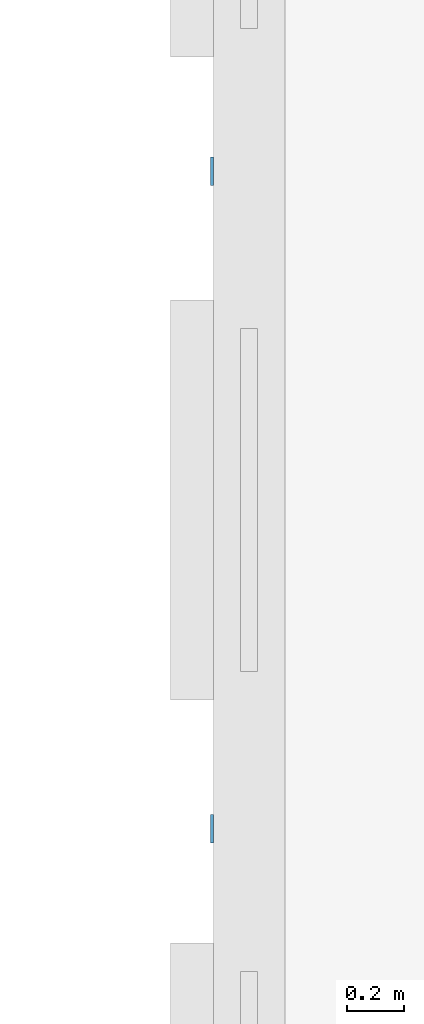
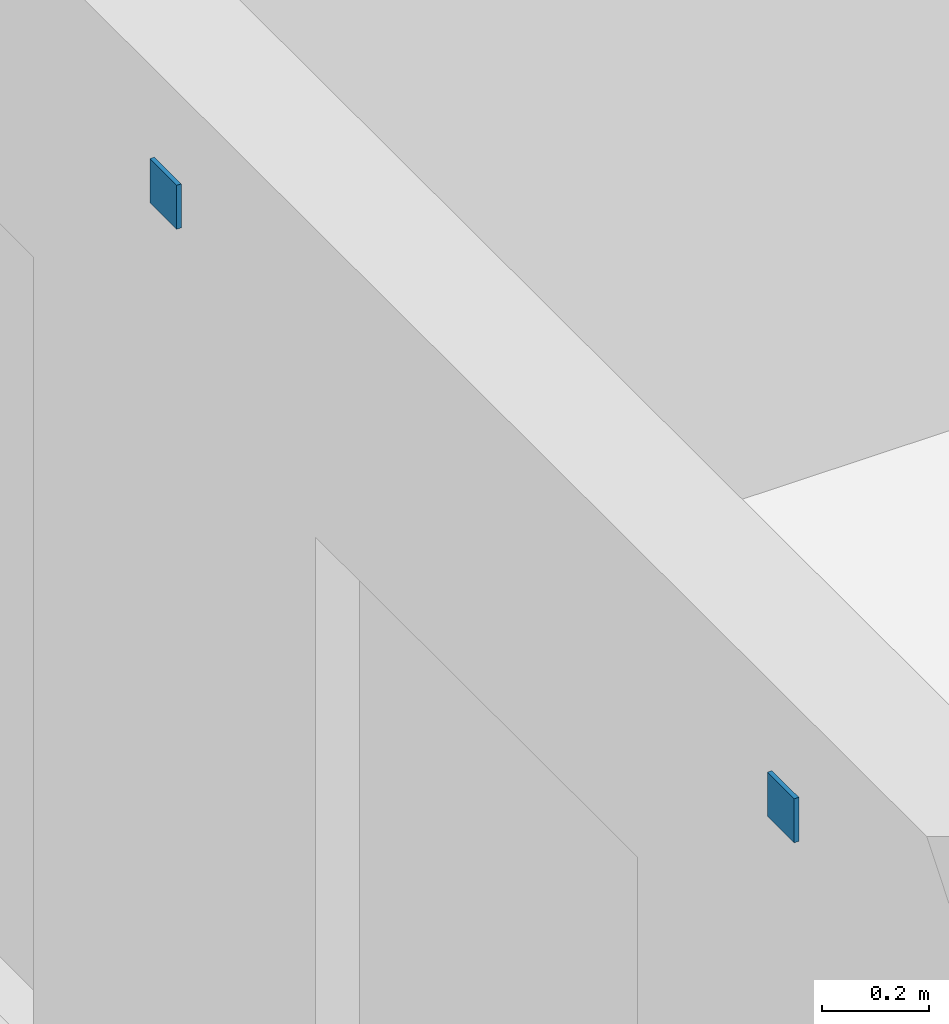
# One storey, part 81 of 92: 2 discrete accessories.
"""IFC4 building model written with IfcOpenShell, lengths in metres."""

from ifc_helpers import new_model, si_unit, direction, frame, origin, origin_2d, place, context, subcontext, project, spatial, rectangle, extrude, material, type_object, element, save


model = new_model("IFC4")

# Units and contexts
model_context = context("Model", 3, precision=1e-05, world=origin(), true_north=direction((0.0, 1.0)))
body_context = subcontext(model_context, "Body", "Model", "MODEL_VIEW")
ifc_project = project(units=[si_unit("LENGTHUNIT", "METRE"), si_unit("AREAUNIT", "SQUARE_METRE"), si_unit("VOLUMEUNIT", "CUBIC_METRE"), si_unit("PLANEANGLEUNIT", "RADIAN"), si_unit("MASSUNIT", "GRAM", prefix="KILO")], contexts=[model_context])

# Site, building, storey
site_placement = place(None, origin())
site = spatial("IfcSite", under=ifc_project, at=site_placement, CompositionType="ELEMENT")
building_placement = place(site_placement, origin())
building = spatial("IfcBuilding", under=site, at=building_placement, Name="Laocheng Heights Fire and Rescue Headquarters", CompositionType="ELEMENT")
storey_placement = place(building_placement, frame((0.0, 0.0, 12.60009765625)))
storey = spatial("IfcBuildingStorey", under=building, at=storey_placement, Name="L03", CompositionType="ELEMENT", Elevation=12.60009765625)

# Discrete accessories
ifc_material = material(Name="Steel Q355B", Category="steel")
discrete_accessory_type = type_object("IfcDiscreteAccessoryType", Name="DRILL STEEL ANCHOR PLATE 100 x 100 x 10", PredefinedType="USERDEFINED", material=ifc_material)
for number, where, z_axis, x_axis, name in (
    (1, (113.8701171875, 30.39990234375, 4.39990234375), (0.0, 0.0, 1.0), (1.0, 0.0, 0.0), "Anchor plate F5"),
    (2, (113.8701171875, 32.699951171875, 4.39990234375), (0.0, 0.0, 1.0), (1.0, 0.0, 0.0), "Anchor plate F5"),
):
    element("IfcDiscreteAccessory", number, at=place(storey_placement, frame(where, z_axis=z_axis, x_axis=x_axis)), inside=storey, type_object=discrete_accessory_type, Name=name, ObjectType="ANCHOR PLATE", PredefinedType="USERDEFINED", context=body_context, shape_type="SweptSolid", body=[
        extrude(rectangle(XDim=0.010009765625, YDim=0.10009765625, at=origin_2d()), origin(), (0.0, 0.0, 1.0), 0.10009765625),
    ])

save(model, "model.ifc")
